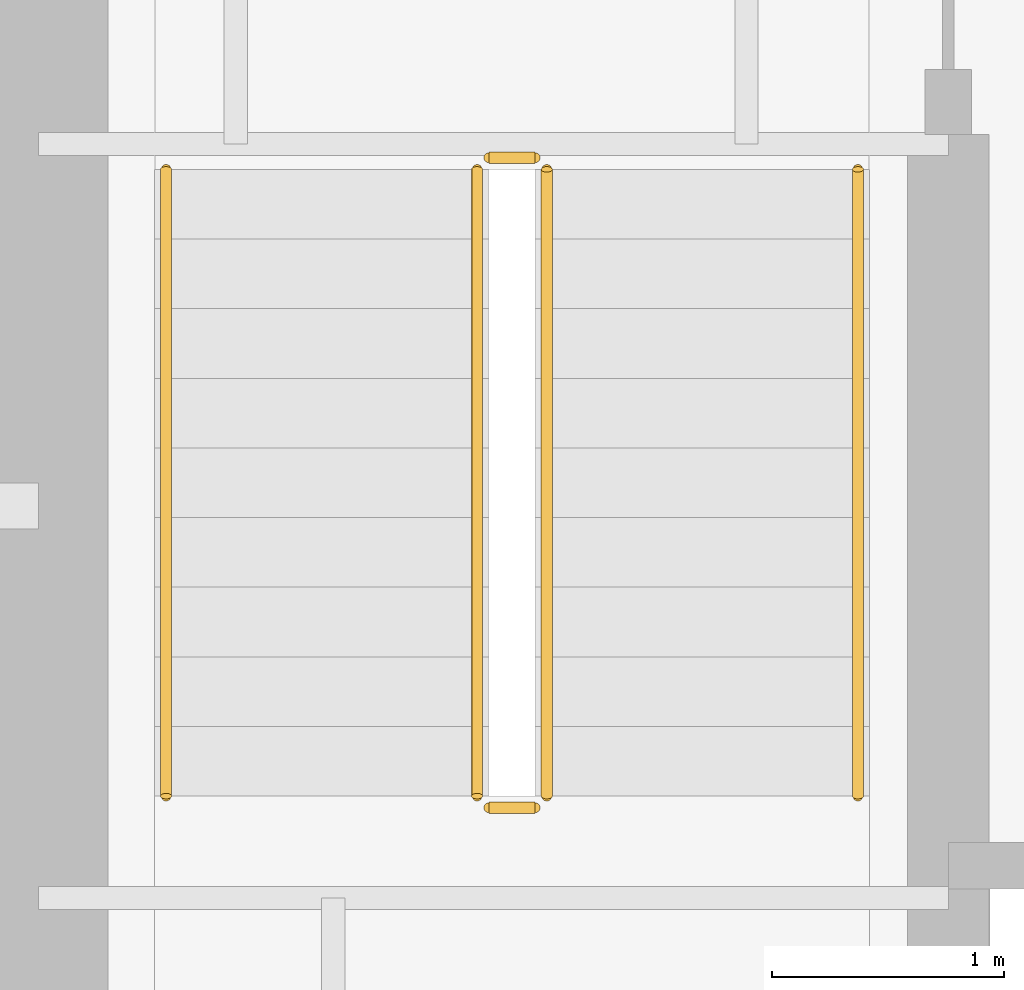
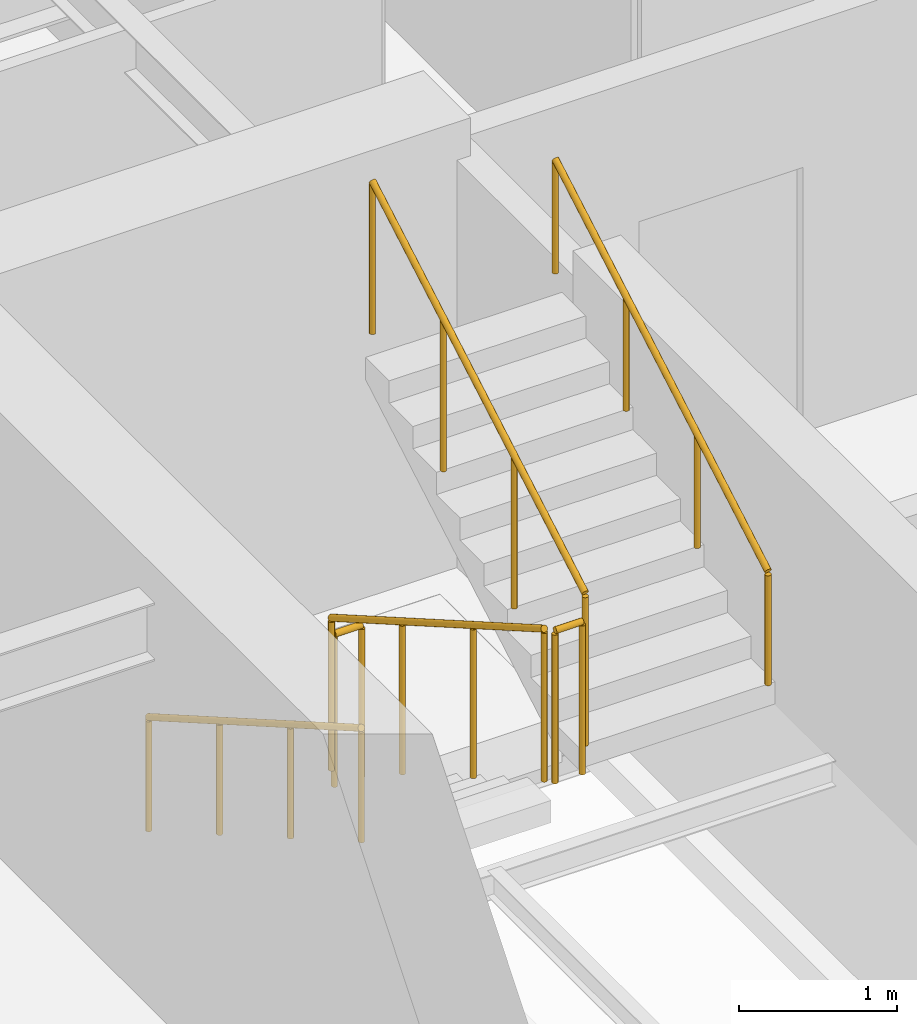
# One storey, part 13 of 17: 6 railings.
"""IFC4 building model written with IfcOpenShell, lengths in metres."""

from ifc_helpers import new_model, si_unit, direction, frame, origin, origin_2d, place, context, subcontext, project, spatial, circle, extrude, material, type_object, element, save


model = new_model("IFC4")

# Units and contexts
model_context = context("Model", 3, precision=1e-05, world=origin(), true_north=direction((0.0, 1.0)))
body_context = subcontext(model_context, "Body", "Model", "MODEL_VIEW")
ifc_project = project(units=[si_unit("LENGTHUNIT", "METRE"), si_unit("AREAUNIT", "SQUARE_METRE"), si_unit("VOLUMEUNIT", "CUBIC_METRE"), si_unit("PLANEANGLEUNIT", "RADIAN"), si_unit("MASSUNIT", "GRAM", prefix="KILO")], contexts=[model_context])

# Site, building, storey
site_placement = place(None, origin())
site = spatial("IfcSite", under=ifc_project, at=site_placement, CompositionType="ELEMENT")
building_placement = place(site_placement, origin())
building = spatial("IfcBuilding", under=site, at=building_placement, Name="Qiaolan Cultural Towers", CompositionType="ELEMENT")
storey_placement = place(building_placement, frame((0.0, 0.0, 134.550048828125)))
storey = spatial("IfcBuildingStorey", under=building, at=storey_placement, Name="L35", CompositionType="ELEMENT", Elevation=134.550048828125)

# Railings
ifc_material_1 = material(Name="Galvanized Painted Steel Stair Guardrail", Category="steel")
railing_type_1 = type_object("IfcRailingType", Name="RL-STAIR-GRD", PredefinedType="GUARDRAIL", material=ifc_material_1)
railing_1_placement = place(storey_placement, frame((23.68994140625, 19.550048828125, 0.17236328125)))
element("IfcRailing", 1, at=railing_1_placement, inside=storey, type_object=railing_type_1, Name="L35 ST-W1 stair guard 1", PredefinedType="GUARDRAIL", context=body_context, shape_type="SweptSolid", body=[
    extrude(circle(Radius=0.02392578125, at=origin_2d()), frame((0.0, 0.0, 1.17578125), z_axis=(0.0, -0.866903762492, 0.498475542607), x_axis=(1.0, 0.0, 0.0)), (0.0, 0.0, 1.0), 3.114501953125),
    extrude(circle(Radius=0.02099609375, at=origin_2d()), origin(), (0.0, 0.0, 1.0), 1.15185546875),
    extrude(circle(Radius=0.02099609375, at=origin_2d()), frame((0.0, -0.89990234375, 0.517578125)), (0.0, 0.0, 1.0), 1.15185546875),
    extrude(circle(Radius=0.02099609375, at=origin_2d()), frame((0.0, -1.800048828125, 1.034912109375)), (0.0, 0.0, 1.0), 1.15185546875),
    extrude(circle(Radius=0.02099609375, at=origin_2d()), frame((0.0, -2.699951171875, 1.552490234375)), (0.0, 0.0, 1.0), 1.15185546875),
])
railing_2_placement = place(storey_placement, frame((23.739990234375, 16.800048828125, 1.724853515625)))
element("IfcRailing", 2, at=railing_2_placement, inside=storey, type_object=railing_type_1, Name="L35 ST-W1 stair guard 2", PredefinedType="GUARDRAIL", context=body_context, shape_type="SweptSolid", body=[
    extrude(circle(Radius=0.02392578125, at=origin_2d()), frame((0.0, 0.0, 1.17578125), z_axis=(1.0, 0.0, 0.0), x_axis=(0.0, 1.0, 0.0)), (0.0, 0.0, 1.0), 0.199951171875),
    extrude(circle(Radius=0.02099609375, at=origin_2d()), origin(), (0.0, 0.0, 1.0), 1.15185546875),
    extrude(circle(Radius=0.02099609375, at=origin_2d()), frame((0.199951171875, 0.0, 0.0)), (0.0, 0.0, 1.0), 1.15185546875),
])
railing_3_placement = place(storey_placement, frame((23.989990234375, 16.85009765625, 1.8974609375)))
element("IfcRailing", 3, at=railing_3_placement, inside=storey, type_object=railing_type_1, Name="L35 ST-W1 stair guard 3", PredefinedType="GUARDRAIL", context=body_context, shape_type="SweptSolid", body=[
    extrude(circle(Radius=0.02392578125, at=origin_2d()), frame((0.0, 0.0, 1.17578125), z_axis=(0.0, 0.866903762492, 0.498475542607), x_axis=(-1.0, 0.0, 0.0)), (0.0, 0.0, 1.0), 3.114501953125),
    extrude(circle(Radius=0.02099609375, at=origin_2d()), origin(), (0.0, 0.0, 1.0), 1.15185546875),
    extrude(circle(Radius=0.02099609375, at=origin_2d()), frame((0.0, 0.89990234375, 0.517578125)), (0.0, 0.0, 1.0), 1.15185546875),
    extrude(circle(Radius=0.02099609375, at=origin_2d()), frame((0.0, 1.800048828125, 1.034912109375)), (0.0, 0.0, 1.0), 1.15185546875),
    extrude(circle(Radius=0.02099609375, at=origin_2d()), frame((0.0, 2.699951171875, 1.552490234375)), (0.0, 0.0, 1.0), 1.15185546875),
])
railing_4_placement = place(storey_placement, frame((23.739990234375, 19.60009765625, 0.0)))
element("IfcRailing", 4, at=railing_4_placement, inside=storey, type_object=railing_type_1, Name="L35 ST-W1 stair guard 4", PredefinedType="GUARDRAIL", context=body_context, shape_type="SweptSolid", body=[
    extrude(circle(Radius=0.02392578125, at=origin_2d()), frame((0.0, 0.0, 1.17578125), z_axis=(1.0, 0.0, 0.0), x_axis=(0.0, 1.0, 0.0)), (0.0, 0.0, 1.0), 0.199951171875),
    extrude(circle(Radius=0.02099609375, at=origin_2d()), origin(), (0.0, 0.0, 1.0), 1.15185546875),
    extrude(circle(Radius=0.02099609375, at=origin_2d()), frame((0.199951171875, 0.0, 0.0)), (0.0, 0.0, 1.0), 1.15185546875),
])
ifc_material_2 = material(Name="Stainless Steel S30408 Tubular Handrail", Category="steel")
railing_type_2 = type_object("IfcRailingType", Name="RL-STAIR-HR", PredefinedType="HANDRAIL", material=ifc_material_2)
railing_5_placement = place(storey_placement, frame((22.35009765625, 19.550048828125, 0.17236328125)))
element("IfcRailing", 5, at=railing_5_placement, inside=storey, type_object=railing_type_2, Name="L35 ST-W1 stair handrail 1", PredefinedType="HANDRAIL", context=body_context, shape_type="SweptSolid", body=[
    extrude(circle(Radius=0.02392578125, at=origin_2d()), frame((0.0, 0.0, 0.8759765625), z_axis=(0.0, -0.866903762492, 0.498475542607), x_axis=(1.0, 0.0, 0.0)), (0.0, 0.0, 1.0), 3.114501953125),
    extrude(circle(Radius=0.02099609375, at=origin_2d()), origin(), (0.0, 0.0, 1.0), 0.851806640625),
    extrude(circle(Radius=0.02099609375, at=origin_2d()), frame((0.0, -0.89990234375, 0.517578125)), (0.0, 0.0, 1.0), 0.851806640625),
    extrude(circle(Radius=0.02099609375, at=origin_2d()), frame((0.0, -1.800048828125, 1.034912109375)), (0.0, 0.0, 1.0), 0.851806640625),
    extrude(circle(Radius=0.02099609375, at=origin_2d()), frame((0.0, -2.699951171875, 1.552490234375)), (0.0, 0.0, 1.0), 0.851806640625),
])
railing_6_placement = place(storey_placement, frame((25.330078125, 16.85009765625, 1.8974609375)))
element("IfcRailing", 6, at=railing_6_placement, inside=storey, type_object=railing_type_2, Name="L35 ST-W1 stair handrail 2", PredefinedType="HANDRAIL", context=body_context, shape_type="SweptSolid", body=[
    extrude(circle(Radius=0.02392578125, at=origin_2d()), frame((0.0, 0.0, 0.8759765625), z_axis=(0.0, 0.866903762492, 0.498475542607), x_axis=(-1.0, 0.0, 0.0)), (0.0, 0.0, 1.0), 3.114501953125),
    extrude(circle(Radius=0.02099609375, at=origin_2d()), origin(), (0.0, 0.0, 1.0), 0.851806640625),
    extrude(circle(Radius=0.02099609375, at=origin_2d()), frame((0.0, 0.89990234375, 0.517578125)), (0.0, 0.0, 1.0), 0.851806640625),
    extrude(circle(Radius=0.02099609375, at=origin_2d()), frame((0.0, 1.800048828125, 1.034912109375)), (0.0, 0.0, 1.0), 0.851806640625),
    extrude(circle(Radius=0.02099609375, at=origin_2d()), frame((0.0, 2.699951171875, 1.552490234375)), (0.0, 0.0, 1.0), 0.851806640625),
])

save(model, "model.ifc")
